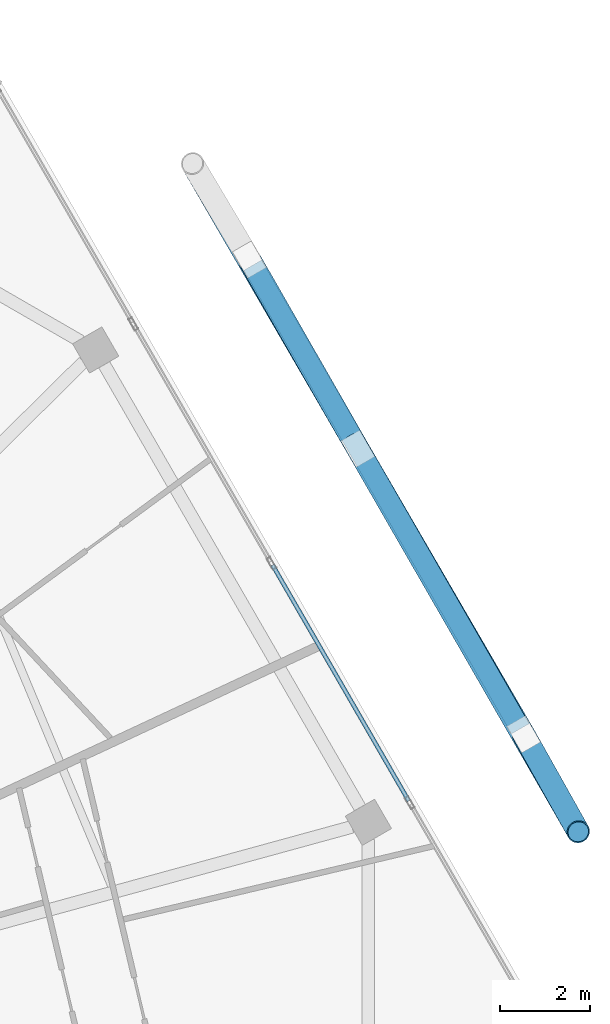
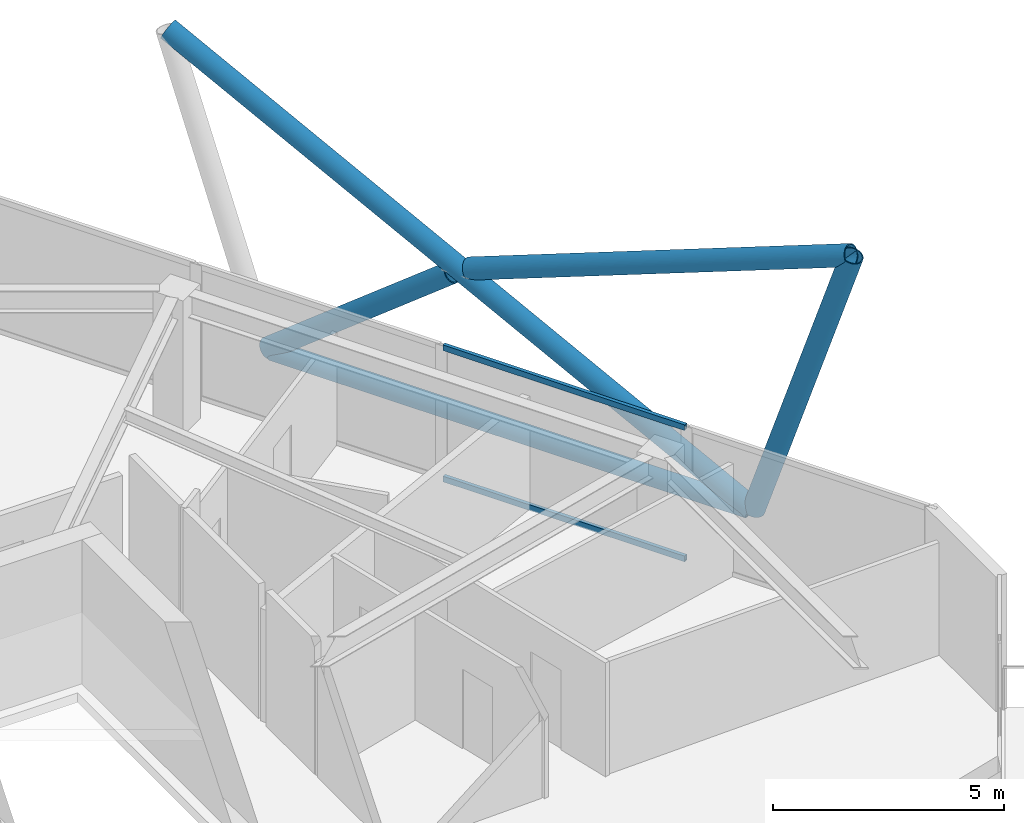
# One storey, part 14 of 24: 7 members, 1 element without a shape of its own.
"""IFC4 building model written with IfcOpenShell, lengths in metres."""

import ifcopenshell
import ifcopenshell.guid

model = None  # the IFC model being written
_history = None  # IfcOwnerHistory: only IFC2X3 demands one
_inside = {}  # id of a spatial element -> (the spatial element, [elements in it])
_under = {}  # id of a project, library or spatial element -> (it, [spatial elements below it])
_declared = {}  # id of a project -> (the project, [libraries it declares])
_typed = {}  # id of a type object -> (the type object, [elements of that type])
_made_of = {}  # id of a material, layer set ... -> (it, [elements and type objects made of it])


def new_model(schema):
    """Start an empty IFC model of exactly this schema.

    Asked for "IFC4X3", IfcOpenShell would pick the latest addendum, in which some entities
    have other attributes; the version numbers below select the first issue.
    IFC2X3 requires an IfcOwnerHistory on every rooted entity: one is made here for all.
    """
    global model, _history
    if schema == "IFC4X3":
        model = ifcopenshell.file(schema_version=(4, 3, 0, 0))
    else:
        model = ifcopenshell.file(schema=schema)
    _inside.clear()
    _under.clear()
    _declared.clear()
    _typed.clear()
    _made_of.clear()
    _history = None
    if model.schema == "IFC2X3":
        org = make("IfcOrganization", Name="unknown")
        user = make(
            "IfcPersonAndOrganization",
            ThePerson=make("IfcPerson", FamilyName="unknown"),
            TheOrganization=org,
        )
        app = make(
            "IfcApplication",
            ApplicationDeveloper=org,
            Version="unknown",
            ApplicationFullName="unknown",
            ApplicationIdentifier="unknown",
        )
        _history = make(
            "IfcOwnerHistory",
            OwningUser=user,
            OwningApplication=app,
            ChangeAction="ADDED",
            CreationDate=0,
        )
    return model


def make(cls, **values):
    """One entity of the class cls with the attributes given. An attribute that is None is left unset."""
    return model.create_entity(
        cls, **{name: value for name, value in values.items() if value is not None}
    )


def rooted(cls, **values):
    """An entity with a GlobalId (a new one), such as an element, a storey or a relation."""
    return make(cls, GlobalId=ifcopenshell.guid.new(), OwnerHistory=_history, **values)


def si_unit(unit_type, name, prefix=None):
    """IfcSIUnit, for example si_unit("LENGTHUNIT", "METRE", prefix="MILLI")."""
    return make("IfcSIUnit", UnitType=unit_type, Prefix=prefix, Name=name)


def assignment(units):
    """IfcUnitAssignment: the units of a project."""
    return None if units is None else make("IfcUnitAssignment", Units=units)


def point(xyz):
    """IfcCartesianPoint."""
    return None if xyz is None else make("IfcCartesianPoint", Coordinates=xyz)


def direction(xyz):
    """IfcDirection."""
    return None if xyz is None else make("IfcDirection", DirectionRatios=xyz)


def frame(location, z_axis=None, x_axis=None):
    """IfcAxis2Placement3D, a coordinate frame: its origin and axes. An axis left out is left unset."""
    return make(
        "IfcAxis2Placement3D",
        Location=point(location),
        Axis=direction(z_axis),
        RefDirection=direction(x_axis),
    )


def frame_2d(location, x_axis=None):
    """IfcAxis2Placement2D, a coordinate frame in the plane: its origin and x axis."""
    return make(
        "IfcAxis2Placement2D", Location=point(location), RefDirection=direction(x_axis)
    )


def origin():
    """The frame at (0, 0, 0) with its axes left unset."""
    return frame((0.0, 0.0, 0.0))


def origin_2d():
    """The frame at (0, 0) in the plane with its x axis left unset."""
    return frame_2d((0.0, 0.0))


def place(relative_to, where):
    """IfcLocalPlacement: puts the frame where relative to a parent placement (None: the world)."""
    return make(
        "IfcLocalPlacement", PlacementRelTo=relative_to, RelativePlacement=where
    )


def context(
    kind, dimensions, precision=None, world=None, true_north=None, identifier=None
):
    """IfcGeometricRepresentationContext, for example the 3D "Model" context."""
    return make(
        "IfcGeometricRepresentationContext",
        ContextIdentifier=identifier,
        ContextType=kind,
        CoordinateSpaceDimension=dimensions,
        Precision=precision,
        WorldCoordinateSystem=world,
        TrueNorth=true_north,
    )


def subcontext(parent, identifier, kind, view, scale=None):
    """IfcGeometricRepresentationSubContext, for example "Body" below "Model"."""
    return make(
        "IfcGeometricRepresentationSubContext",
        ContextIdentifier=identifier,
        ContextType=kind,
        ParentContext=parent,
        TargetScale=scale,
        TargetView=view,
    )


def project(units=None, contexts=None):
    """IfcProject with its units and contexts."""
    return rooted(
        "IfcProject",
        Name="project",
        RepresentationContexts=contexts,
        UnitsInContext=assignment(units),
    )


def spatial(cls, under=None, at=None, **own):
    """A site, building, storey or space (cls), placed at a placement, below another one or the project."""
    s = rooted(cls, ObjectPlacement=at, **own)
    if under is not None:
        _under.setdefault(under.id(), (under, []))[1].append(s)
    return s


def profile(cls, at=None, kind="AREA", **sizes):
    """A parametric profile (cls). Its sizes go by their IFC names, for example OverallWidth=200.0."""
    return make(cls, ProfileType=kind, Position=at, **sizes)


def hollow_rectangle(**sizes):
    """IfcRectangleHollowProfileDef."""
    return profile("IfcRectangleHollowProfileDef", **sizes)


def hollow_circle(**sizes):
    """IfcCircleHollowProfileDef."""
    return profile("IfcCircleHollowProfileDef", **sizes)


def extrude(swept, where, along, depth):
    """IfcExtrudedAreaSolid: the profile swept, set in the frame where, extruded along a direction by depth."""
    return make(
        "IfcExtrudedAreaSolid",
        SweptArea=swept,
        Position=where,
        ExtrudedDirection=direction(along),
        Depth=depth,
    )


def shape(context_of_items, identifier, shape_type, items):
    """IfcShapeRepresentation: the items that make up one representation, for example the "Body"."""
    return make(
        "IfcShapeRepresentation",
        ContextOfItems=context_of_items,
        RepresentationIdentifier=identifier,
        RepresentationType=shape_type,
        Items=items,
    )


def material(Name=None, Category=None):
    """IfcMaterial."""
    return make("IfcMaterial", Name=Name, Category=Category)


def material_profile(
    of_material, cross_section, Name=None, Category=None, Priority=None
):
    """IfcMaterialProfile: a cross section and its material."""
    return make(
        "IfcMaterialProfile",
        Name=Name,
        Material=of_material,
        Profile=cross_section,
        Priority=Priority,
        Category=Category,
    )


def profile_set(profiles, Name=None, composite=None):
    """IfcMaterialProfileSet."""
    return make(
        "IfcMaterialProfileSet",
        Name=Name,
        MaterialProfiles=profiles,
        CompositeProfile=composite,
    )


def made_of(thing, what):
    """Note that an element or type object is made of a material, layer set ...; save() writes the relation."""
    if what is not None:
        _made_of.setdefault(what.id(), (what, []))[1].append(thing)
    return thing


def type_object(cls, material=None, **own):
    """A type object (cls), such as IfcWallType, which elements share."""
    return made_of(rooted(cls, **own), material)


def element(
    cls,
    number,
    at=None,
    inside=None,
    cuts=None,
    type_object=None,
    material=None,
    context=None,
    identifier="Body",
    shape_type=None,
    held_by="IfcProductDefinitionShape",
    body=None,
    shapes=None,
    **own,
):
    """One element of the class cls, such as IfcWall. Its Tag is "e" and its number.

    at: its placement. inside: the storey or other place that contains it. cuts: it is an
    opening in that element (IfcRelVoidsElement). A single representation is given by context,
    identifier, shape_type and body (its items); several are given by shapes. held_by: the class
    of the entity that holds the representations. save() writes the other relations.
    """
    e = rooted(cls, Tag="e%d" % number, ObjectPlacement=at, **own)
    if body is not None:
        shapes = [shape(context, identifier, shape_type, body)]
    if shapes is not None:
        e.Representation = make(held_by, Representations=shapes)
    if inside is not None:
        _inside.setdefault(inside.id(), (inside, []))[1].append(e)
    if cuts is not None:
        rooted(
            "IfcRelVoidsElement", RelatingBuildingElement=cuts, RelatedOpeningElement=e
        )
    if type_object is not None:
        _typed.setdefault(type_object.id(), (type_object, []))[1].append(e)
    return made_of(e, material)


def aggregate(whole, parts):
    """IfcRelAggregates: a whole, such as a stair, and the parts it consists of."""
    return rooted("IfcRelAggregates", RelatingObject=whole, RelatedObjects=parts)


def save(model, path):
    """Write the relations noted so far, then the file.

    IfcRelAggregates (storeys below a building ...), IfcRelContainedInSpatialStructure (elements
    in a storey), IfcRelDefinesByType, IfcRelAssociatesMaterial and IfcRelDeclares: one each for
    every whole, place, type object, material and project.
    """
    for whole, parts in _under.values():
        aggregate(whole, parts)
    for where, things in _inside.values():
        rooted(
            "IfcRelContainedInSpatialStructure",
            RelatedElements=things,
            RelatingStructure=where,
        )
    for kind, things in _typed.values():
        rooted("IfcRelDefinesByType", RelatedObjects=things, RelatingType=kind)
    for what, things in _made_of.values():
        rooted("IfcRelAssociatesMaterial", RelatedObjects=things, RelatingMaterial=what)
    for by, libraries in _declared.values():
        rooted("IfcRelDeclares", RelatingContext=by, RelatedDefinitions=libraries)
    model.write(path)


model = new_model("IFC4")

# Units and contexts
model_context = context("Model", 3, precision=1e-05, world=origin(), true_north=direction((0.0, 1.0)))
body_context = subcontext(model_context, "Body", "Model", "MODEL_VIEW")
ifc_project = project(units=[si_unit("LENGTHUNIT", "METRE"), si_unit("AREAUNIT", "SQUARE_METRE"), si_unit("VOLUMEUNIT", "CUBIC_METRE"), si_unit("PLANEANGLEUNIT", "RADIAN"), si_unit("MASSUNIT", "GRAM", prefix="KILO")], contexts=[model_context])

# Site, building, storey
site_placement = place(None, origin())
site = spatial("IfcSite", under=ifc_project, at=site_placement, CompositionType="ELEMENT")
building_placement = place(site_placement, origin())
building = spatial("IfcBuilding", under=site, at=building_placement, Name="Zuhravey Tower", CompositionType="ELEMENT")
storey_placement = place(building_placement, frame((0.0, 0.0, 338.60009765625)))
storey = spatial("IfcBuildingStorey", under=building, at=storey_placement, Name="L86", CompositionType="ELEMENT", Elevation=338.60009765625)

# Curtain wall, members
ifc_material_1 = material(Name="Thermally broken anodised aluminium", Category="aluminium")
curtain_wall_type = type_object("IfcCurtainWallType", Name="Zone 3-4 High-Rise Curtain Wall CW4", PredefinedType="NOTDEFINED", material=ifc_material_1)
curtain_wall_placement = place(storey_placement, origin())
curtain_wall = element("IfcCurtainWall", 1, at=curtain_wall_placement, inside=storey, type_object=curtain_wall_type, Name="L86 CW4 CW-L86-F1-1", PredefinedType="NOTDEFINED")
ifc_material_2 = material(Name="Anodised aluminium", Category="aluminium")
ifc_material_profile_1 = material_profile(ifc_material_2, hollow_rectangle(XDim=0.090087890625, YDim=0.14990234375, WallThickness=0.0048828125, at=origin_2d()), Name="ALU-RHS-90x150x5")
ifc_profile_set_1 = profile_set([ifc_material_profile_1], Name="Anodised aluminium")
member_type_1 = type_object("IfcMemberType", Name="Curtain-Wall Transom 90x150", PredefinedType="USERDEFINED", material=ifc_profile_set_1)
member_1_placement = place(storey_placement, frame((56.871337890625, 43.998046875, 0.044921875), z_axis=(0.499988837749, -0.866031848217, 0.0), x_axis=(0.866031848217, 0.499988837749, 0.0)))
member_1 = element("IfcMember", 2, at=member_1_placement, type_object=member_type_1, Name="CW4 transom 3.1", ObjectType="TRANSOM", PredefinedType="USERDEFINED", context=body_context, shape_type="SweptSolid", body=[
    extrude(hollow_rectangle(XDim=0.090087890625, YDim=0.14990234375, WallThickness=0.0048828125, at=origin_2d()), origin(), (0.0, 0.0, 1.0), 6.029541015625),
])
member_2_placement = place(storey_placement, frame((56.871337890625, 43.998046875, 3.5048828125), z_axis=(0.499988837749, -0.866031848217, 0.0), x_axis=(0.866031848217, 0.499988837749, 0.0)))
member_2 = element("IfcMember", 3, at=member_2_placement, type_object=member_type_1, Name="CW4 transom 3.2", ObjectType="TRANSOM", PredefinedType="USERDEFINED", context=body_context, shape_type="SweptSolid", body=[
    extrude(hollow_rectangle(XDim=0.090087890625, YDim=0.14990234375, WallThickness=0.0048828125, at=origin_2d()), origin(), (0.0, 0.0, 1.0), 6.029541015625),
])
aggregate(curtain_wall, [member_1, member_2])

# Members
ifc_material_3 = material(Name="Steel SM355", Category="steel")
ifc_material_profile_2 = material_profile(ifc_material_3, hollow_circle(Radius=0.228515625, WallThickness=0.02197265625, at=origin_2d()), Name="CHS-457.2x22")
ifc_profile_set_2 = profile_set([ifc_material_profile_2], Name="Steel SM355")
member_type_2 = type_object("IfcMemberType", Name="Exoskeleton Ring Tie CHS457x22", PredefinedType="CHORD", material=ifc_profile_set_2)
member_3_placement = place(storey_placement, frame((62.3583984375, 40.373779296875, -0.464111328125), z_axis=(-0.499988670204, 0.866031944946, 0.0), x_axis=(-0.866031944946, -0.499988670204, 0.0)))
element("IfcMember", 4, at=member_3_placement, inside=storey, type_object=member_type_2, Name="L86 Exoskeleton Face 1 Tie EXR1", PredefinedType="CHORD", context=body_context, shape_type="SweptSolid", body=[
    extrude(hollow_circle(Radius=0.228515625, WallThickness=0.02197265625, at=origin_2d()), origin(), (0.0, 0.0, 1.0), 11.854736328125),
])
ifc_material_profile_3 = material_profile(ifc_material_3, hollow_circle(Radius=0.25390625, WallThickness=0.02490234375, at=origin_2d()), Name="CHS-508.0x25")
ifc_profile_set_3 = profile_set([ifc_material_profile_3], Name="Steel SM355")
member_type_3 = type_object("IfcMemberType", Name="Exoskeleton Zone 4 Diagrid CHS508x25", PredefinedType="BRACE", material=ifc_profile_set_3)
member_4_placement = place(storey_placement, frame((62.43115234375, 40.248046875, -0.447998046875), z_axis=(0.151979558648, -0.270748087834, 0.950577554273), x_axis=(0.872010411555, 0.48948732582, 0.0)))
element("IfcMember", 5, at=member_4_placement, inside=storey, type_object=member_type_3, Name="L86 Face 1 Diagrid Brace 1", PredefinedType="BRACE", context=body_context, shape_type="SweptSolid", body=[
    extrude(hollow_circle(Radius=0.25390625, WallThickness=0.02490234375, at=origin_2d()), origin(), (0.0, 0.0, 1.0), 7.96142578125),
])
member_5_placement = place(storey_placement, frame((62.4130859375, 40.279052734375, -0.447998046875), z_axis=(-0.445192866154, 0.767461009779, 0.461309993817), x_axis=(-0.86499915707, -0.501773313627, 0.0)))
element("IfcMember", 6, at=member_5_placement, inside=storey, type_object=member_type_3, Name="L86 Face 1 Diagrid Brace 2", PredefinedType="BRACE", context=body_context, shape_type="SweptSolid", body=[
    extrude(hollow_circle(Radius=0.25390625, WallThickness=0.02490234375, at=origin_2d()), origin(), (0.0, 0.0, 1.0), 16.4052734375),
])
member_6_placement = place(storey_placement, frame((56.374755859375, 50.738037109375, -0.442626953125), z_axis=(0.390721882118, -0.681650439629, 0.618618694341), x_axis=(0.867580420924, 0.497296906515, 0.0)))
element("IfcMember", 7, at=member_6_placement, inside=storey, type_object=member_type_3, Name="L86 Face 1 Split Diagrid Brace 3A", PredefinedType="BRACE", context=body_context, shape_type="SweptSolid", body=[
    extrude(hollow_circle(Radius=0.25390625, WallThickness=0.02490234375, at=origin_2d()), origin(), (0.0, 0.0, 1.0), 5.8642578125),
])
member_7_placement = place(storey_placement, frame((58.874755859375, 46.377197265625, 3.424072265625), z_axis=(0.464878039691, -0.808062007863, 0.361834492084), x_axis=(0.866793926818, 0.498666510236, 0.0)))
element("IfcMember", 8, at=member_7_placement, inside=storey, type_object=member_type_3, Name="L86 Face 1 Split Diagrid Brace 3B", PredefinedType="BRACE", context=body_context, shape_type="SweptSolid", body=[
    extrude(hollow_circle(Radius=0.25390625, WallThickness=0.02490234375, at=origin_2d()), origin(), (0.0, 0.0, 1.0), 10.223388671875),
])

save(model, "model.ifc")
